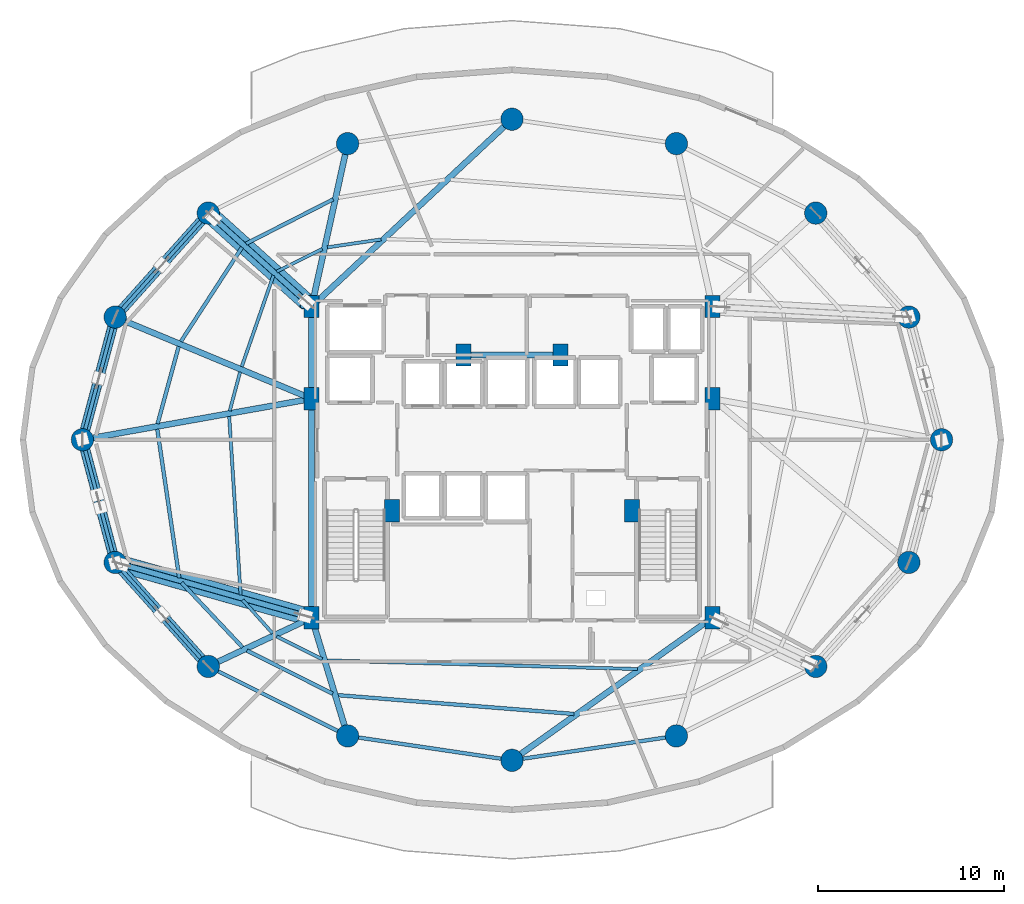
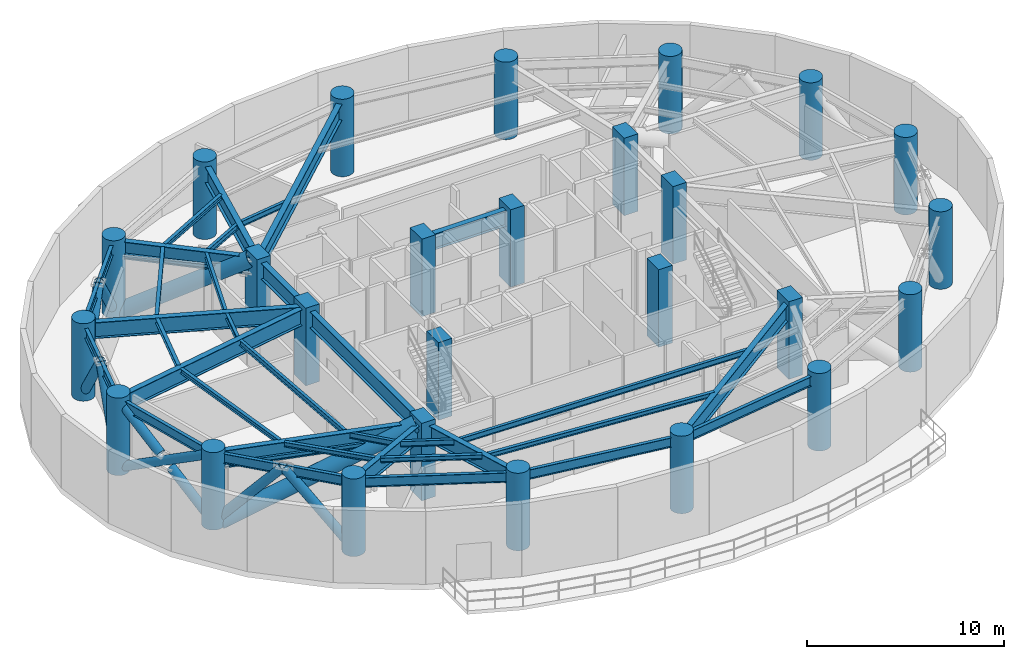
# One storey, part 1 of 10: 34 beams, 26 columns, 13 members.
"""IFC4 building model written with IfcOpenShell, lengths in metres."""

from ifc_helpers import new_model, si_unit, direction, frame, origin, origin_2d, place, context, subcontext, project, spatial, rectangle, hollow_rectangle, circle, hollow_circle, i_section, extrude, material, material_profile, profile_set, type_object, element, save


model = new_model("IFC4")

# Units and contexts
model_context = context("Model", 3, precision=1e-05, world=origin(), true_north=direction((0.0, 1.0)))
body_context = subcontext(model_context, "Body", "Model", "MODEL_VIEW")
ifc_project = project(units=[si_unit("LENGTHUNIT", "METRE"), si_unit("AREAUNIT", "SQUARE_METRE"), si_unit("VOLUMEUNIT", "CUBIC_METRE"), si_unit("PLANEANGLEUNIT", "RADIAN"), si_unit("MASSUNIT", "GRAM", prefix="KILO")], contexts=[model_context])

# Site, building, storey
site_placement = place(None, origin())
site = spatial("IfcSite", under=ifc_project, at=site_placement, CompositionType="ELEMENT")
building_placement = place(site_placement, origin())
building = spatial("IfcBuilding", under=site, at=building_placement, Name="Vorneva Point Tower", CompositionType="ELEMENT")
storey_placement = place(building_placement, frame((0.0, 0.0, 69.5)))
storey = spatial("IfcBuildingStorey", under=building, at=storey_placement, Name="L18", CompositionType="ELEMENT", Elevation=69.5)

# Columns
ifc_material_1 = material(Name="Concrete B60 (C50/60)", Category="concrete")
ifc_material_profile_1 = material_profile(ifc_material_1, circle(Radius=0.60009765625, at=origin_2d()), Name="RC-CIRC 1200")
ifc_profile_set_1 = profile_set([ifc_material_profile_1], Name="Concrete B60 (C50/60)")
column_type_1 = type_object("IfcColumnType", Name="COL-RC1200C", PredefinedType="COLUMN", material=ifc_profile_set_1)
for number, where, z_axis, x_axis, name in (
    (1, (61.050048828125, 26.0, 0.0), (0.0, 0.0, 1.0), (1.0, 0.0, 0.0), "L18 Perimeter Column P01"),
    (2, (59.29541015625, 32.582275390625, 0.0), (0.0, 0.0, 1.0), (0.923879532511, 0.382683432365, 0.0), "L18 Perimeter Column P02"),
    (3, (54.298828125, 38.162109375, 0.0), (0.0, 0.0, 1.0), (0.707106781187, 0.707106781187, 0.0), "L18 Perimeter Column P03"),
    (4, (46.82080078125, 41.890625, 0.0), (0.0, 0.0, 1.0), (0.382683432365, 0.923879532511, 0.0), "L18 Perimeter Column P04"),
    (5, (38.0, 43.199951171875, 0.0), (0.0, 0.0, 1.0), (0.0, 1.0, 0.0), "L18 Perimeter Column P05"),
    (6, (29.17919921875, 41.890625, 0.0), (0.0, 0.0, 1.0), (-0.382683432365, 0.923879532511, 0.0), "L18 Perimeter Column P06"),
    (7, (21.701171875, 38.162109375, 0.0), (0.0, 0.0, 1.0), (-0.707106781187, 0.707106781187, 0.0), "L18 Perimeter Column P07"),
    (8, (16.70458984375, 32.582275390625, 0.0), (0.0, 0.0, 1.0), (-0.923879532511, 0.382683432365, 0.0), "L18 Perimeter Column P08"),
    (9, (14.949951171875, 26.0, 0.0), (0.0, 0.0, 1.0), (-1.0, 0.0, 0.0), "L18 Perimeter Column P09"),
    (10, (16.70458984375, 19.417724609375, 0.0), (0.0, 0.0, 1.0), (-0.923879532511, -0.382683432365, 0.0), "L18 Perimeter Column P10"),
    (11, (21.701171875, 13.837890625, 0.0), (0.0, 0.0, 1.0), (-0.707106781187, -0.707106781187, 0.0), "L18 Perimeter Column P11"),
    (12, (29.17919921875, 10.109375, 0.0), (0.0, 0.0, 1.0), (-0.382683432365, -0.923879532511, 0.0), "L18 Perimeter Column P12"),
    (13, (38.0, 8.800048828125, 0.0), (0.0, 0.0, 1.0), (0.0, -1.0, 0.0), "L18 Perimeter Column P13"),
    (14, (46.82080078125, 10.109375, 0.0), (0.0, 0.0, 1.0), (0.382683432365, -0.923879532511, 0.0), "L18 Perimeter Column P14"),
    (15, (54.298828125, 13.837890625, 0.0), (0.0, 0.0, 1.0), (0.707106781187, -0.707106781187, 0.0), "L18 Perimeter Column P15"),
    (16, (59.29541015625, 19.417724609375, 0.0), (0.0, 0.0, 1.0), (0.923879532511, -0.382683432365, 0.0), "L18 Perimeter Column P16"),
):
    element("IfcColumn", number, at=place(storey_placement, frame(where, z_axis=z_axis, x_axis=x_axis)), inside=storey, type_object=column_type_1, Name=name, PredefinedType="COLUMN", context=body_context, shape_type="SweptSolid", body=[
        extrude(circle(Radius=0.60009765625, at=origin_2d()), origin(), (0.0, 0.0, 1.0), 4.800048828125),
    ])
ifc_material_profile_2 = material_profile(ifc_material_1, rectangle(XDim=0.800048828125, YDim=1.199951171875, at=origin_2d()), Name="RC-PIL 1200x800")
ifc_profile_set_2 = profile_set([ifc_material_profile_2], Name="Concrete B60 (C50/60)")
column_type_2 = type_object("IfcColumnType", Name="PIL-RC1200x800", PredefinedType="PILASTER", material=ifc_profile_set_2)
for number, where, z_axis, x_axis, name in (
    (17, (27.25, 16.449951171875, 0.0), (0.0, 0.0, 1.0), (1.0, 0.0, 0.0), "L18 Core Pilaster CP1"),
    (18, (27.25, 28.199951171875, 0.0), (0.0, 0.0, 1.0), (1.0, 0.0, 0.0), "L18 Core Pilaster CP2"),
    (19, (27.25, 33.14990234375, 0.0), (0.0, 0.0, 1.0), (1.0, 0.0, 0.0), "L18 Core Pilaster CP3"),
    (20, (31.550048828125, 22.199951171875, 0.0), (0.0, 0.0, 1.0), (1.0, 0.0, 0.0), "L18 Core Pilaster CP4"),
    (21, (48.75, 33.14990234375, 0.0), (0.0, 0.0, 1.0), (1.0, 0.0, 0.0), "L18 Core Pilaster CP5"),
    (22, (48.75, 28.199951171875, 0.0), (0.0, 0.0, 1.0), (1.0, 0.0, 0.0), "L18 Core Pilaster CP6"),
    (23, (48.75, 16.449951171875, 0.0), (0.0, 0.0, 1.0), (1.0, 0.0, 0.0), "L18 Core Pilaster CP7"),
    (24, (44.449951171875, 22.199951171875, 0.0), (0.0, 0.0, 1.0), (1.0, 0.0, 0.0), "L18 Core Pilaster CP8"),
    (25, (35.39990234375, 30.550048828125, 0.0), (0.0, 0.0, 1.0), (1.0, 0.0, 0.0), "L18 Core Pilaster CP9"),
    (26, (40.60009765625, 30.550048828125, 0.0), (0.0, 0.0, 1.0), (1.0, 0.0, 0.0), "L18 Core Pilaster CP10"),
):
    element("IfcColumn", number, at=place(storey_placement, frame(where, z_axis=z_axis, x_axis=x_axis)), inside=storey, type_object=column_type_2, Name=name, PredefinedType="PILASTER", context=body_context, shape_type="SweptSolid", body=[
        extrude(rectangle(XDim=0.800048828125, YDim=1.199951171875, at=origin_2d()), origin(), (0.0, 0.0, 1.0), 4.800048828125),
    ])

# Beams
ifc_material_2 = material(Name="Steel S460", Category="steel")
ifc_material_profile_3 = material_profile(ifc_material_2, i_section(OverallWidth=0.320068359375, OverallDepth=0.998046875, WebThickness=0.01708984375, FlangeThickness=0.027099609375, at=origin_2d()), Name="100Sh2")
ifc_profile_set_3 = profile_set([ifc_material_profile_3], Name="Steel S460")
beam_type_1 = type_object("IfcBeamType", Name="BM-GRD-100Sh2", PredefinedType="USERDEFINED", material=ifc_profile_set_3)
beam_1_placement = place(storey_placement, frame((37.570556640625, 42.79833984375, 4.0009765625), z_axis=(-0.730495062551, -0.682917977204, 0.0), x_axis=(0.682917977204, -0.730495062551, 0.0)))
element("IfcBeam", 27, at=beam_1_placement, inside=storey, type_object=beam_type_1, Name="L18 Radial Primary Girder 05", ObjectType="GIRDER", PredefinedType="USERDEFINED", context=body_context, shape_type="SweptSolid", body=[
    extrude(i_section(OverallWidth=0.320068359375, OverallDepth=0.998046875, WebThickness=0.01708984375, FlangeThickness=0.027099609375, at=origin_2d()), origin(), (0.0, 0.0, 1.0), 13.788330078125),
])
beam_2_placement = place(storey_placement, frame((29.052490234375, 41.31640625, 4.0009765625), z_axis=(-0.215535114008, -0.976496090432, 0.0), x_axis=(0.976496090432, -0.215535114008, 0.0)))
element("IfcBeam", 28, at=beam_2_placement, inside=storey, type_object=beam_type_1, Name="L18 Radial Primary Girder 06", ObjectType="GIRDER", PredefinedType="USERDEFINED", context=body_context, shape_type="SweptSolid", body=[
    extrude(i_section(OverallWidth=0.320068359375, OverallDepth=0.998046875, WebThickness=0.01708984375, FlangeThickness=0.027099609375, at=origin_2d()), origin(), (0.0, 0.0, 1.0), 8.02294921875),
])
beam_3_placement = place(storey_placement, frame((22.137451171875, 37.76806640625, 4.0009765625), z_axis=(0.742091876388, -0.670298177678, 0.0), x_axis=(0.670298177678, 0.742091876388, 0.0)))
element("IfcBeam", 29, at=beam_3_placement, inside=storey, type_object=beam_type_1, Name="L18 Radial Primary Girder 07", ObjectType="GIRDER", PredefinedType="USERDEFINED", context=body_context, shape_type="SweptSolid", body=[
    extrude(i_section(OverallWidth=0.320068359375, OverallDepth=0.998046875, WebThickness=0.01708984375, FlangeThickness=0.027099609375, at=origin_2d()), origin(), (0.0, 0.0, 1.0), 6.549560546875),
])
beam_4_placement = place(storey_placement, frame((17.24755859375, 32.356689453125, 4.0009765625), z_axis=(0.923440015882, -0.383742800673, 0.0), x_axis=(0.383742800673, 0.923440015882, 0.0)))
element("IfcBeam", 30, at=beam_4_placement, inside=storey, type_object=beam_type_1, Name="L18 Radial Primary Girder 08", ObjectType="GIRDER", PredefinedType="USERDEFINED", context=body_context, shape_type="SweptSolid", body=[
    extrude(i_section(OverallWidth=0.320068359375, OverallDepth=0.998046875, WebThickness=0.01708984375, FlangeThickness=0.027099609375, at=origin_2d()), origin(), (0.0, 0.0, 1.0), 10.49169921875),
])
beam_5_placement = place(storey_placement, frame((15.52880859375, 26.103515625, 4.0009765625), z_axis=(0.984377835859, 0.176068953167, 0.0), x_axis=(-0.176068953167, 0.984377835859, 0.0)))
element("IfcBeam", 31, at=beam_5_placement, inside=storey, type_object=beam_type_1, Name="L18 Radial Primary Girder 09", ObjectType="GIRDER", PredefinedType="USERDEFINED", context=body_context, shape_type="SweptSolid", body=[
    extrude(i_section(OverallWidth=0.320068359375, OverallDepth=0.998046875, WebThickness=0.01708984375, FlangeThickness=0.027099609375, at=origin_2d()), origin(), (0.0, 0.0, 1.0), 11.567138671875),
])
beam_6_placement = place(storey_placement, frame((17.2705078125, 19.258544921875, 4.0009765625), z_axis=(0.962601544905, -0.270921143042, 0.0), x_axis=(0.270921143042, 0.962601544905, 0.0)))
element("IfcBeam", 32, at=beam_6_placement, inside=storey, type_object=beam_type_1, Name="L18 Radial Primary Girder 10", ObjectType="GIRDER", PredefinedType="USERDEFINED", context=body_context, shape_type="SweptSolid", body=[
    extrude(i_section(OverallWidth=0.320068359375, OverallDepth=0.998046875, WebThickness=0.01708984375, FlangeThickness=0.027099609375, at=origin_2d()), origin(), (0.0, 0.0, 1.0), 10.027099609375),
])
beam_7_placement = place(storey_placement, frame((22.233154296875, 14.088134765625, 4.0009765625), z_axis=(0.904749595176, 0.425943857836, 0.0), x_axis=(-0.425943857836, 0.904749595176, 0.0)))
element("IfcBeam", 33, at=beam_7_placement, inside=storey, type_object=beam_type_1, Name="L18 Radial Primary Girder 11", ObjectType="GIRDER", PredefinedType="USERDEFINED", context=body_context, shape_type="SweptSolid", body=[
    extrude(i_section(OverallWidth=0.320068359375, OverallDepth=0.998046875, WebThickness=0.01708984375, FlangeThickness=0.027099609375, at=origin_2d()), origin(), (0.0, 0.0, 1.0), 5.205078125),
])
beam_8_placement = place(storey_placement, frame((29.008056640625, 10.671875, 4.0009765625), z_axis=(-0.291059345278, 0.956705000262, 0.0), x_axis=(-0.956705000262, -0.291059345278, 0.0)))
element("IfcBeam", 34, at=beam_8_placement, inside=storey, type_object=beam_type_1, Name="L18 Radial Primary Girder 12", ObjectType="GIRDER", PredefinedType="USERDEFINED", context=body_context, shape_type="SweptSolid", body=[
    extrude(i_section(OverallWidth=0.320068359375, OverallDepth=0.998046875, WebThickness=0.01708984375, FlangeThickness=0.027099609375, at=origin_2d()), origin(), (0.0, 0.0, 1.0), 5.69970703125),
])
beam_9_placement = place(storey_placement, frame((38.47900390625, 9.140869140625, 4.0009765625), z_axis=(0.814751603989, 0.579810161861, 0.0), x_axis=(-0.579810161861, 0.814751603989, 0.0)))
element("IfcBeam", 35, at=beam_9_placement, inside=storey, type_object=beam_type_1, Name="L18 Radial Primary Girder 13", ObjectType="GIRDER", PredefinedType="USERDEFINED", context=body_context, shape_type="SweptSolid", body=[
    extrude(i_section(OverallWidth=0.320068359375, OverallDepth=0.998046875, WebThickness=0.01708984375, FlangeThickness=0.027099609375, at=origin_2d()), origin(), (0.0, 0.0, 1.0), 12.26611328125),
])
beam_10_placement = place(storey_placement, frame((27.25, 16.77001953125, 4.0009765625), z_axis=(0.0, 1.0, 0.0), x_axis=(-1.0, 0.0, 0.0)))
element("IfcBeam", 36, at=beam_10_placement, inside=storey, type_object=beam_type_1, Name="L18 Core Tie Girder CT1", ObjectType="GIRDER", PredefinedType="USERDEFINED", context=body_context, shape_type="SweptSolid", body=[
    extrude(i_section(OverallWidth=0.320068359375, OverallDepth=0.998046875, WebThickness=0.01708984375, FlangeThickness=0.027099609375, at=origin_2d()), origin(), (0.0, 0.0, 1.0), 11.10986328125),
])
beam_11_placement = place(storey_placement, frame((27.25, 28.52001953125, 4.0009765625), z_axis=(0.0, 1.0, 0.0), x_axis=(-1.0, 0.0, 0.0)))
element("IfcBeam", 37, at=beam_11_placement, inside=storey, type_object=beam_type_1, Name="L18 Core Tie Girder CT2", ObjectType="GIRDER", PredefinedType="USERDEFINED", context=body_context, shape_type="SweptSolid", body=[
    extrude(i_section(OverallWidth=0.320068359375, OverallDepth=0.998046875, WebThickness=0.01708984375, FlangeThickness=0.027099609375, at=origin_2d()), origin(), (0.0, 0.0, 1.0), 4.31005859375),
])
beam_12_placement = place(storey_placement, frame((35.719970703125, 30.550048828125, 4.0009765625), z_axis=(1.0, 0.0, 0.0), x_axis=(0.0, 1.0, 0.0)))
element("IfcBeam", 38, at=beam_12_placement, inside=storey, type_object=beam_type_1, Name="L18 Core Tie Girder CT8", ObjectType="GIRDER", PredefinedType="USERDEFINED", context=body_context, shape_type="SweptSolid", body=[
    extrude(i_section(OverallWidth=0.320068359375, OverallDepth=0.998046875, WebThickness=0.01708984375, FlangeThickness=0.027099609375, at=origin_2d()), origin(), (0.0, 0.0, 1.0), 4.56005859375),
])
ifc_material_3 = material(Name="Steel S355", Category="steel")
ifc_material_profile_4 = material_profile(ifc_material_3, i_section(OverallWidth=0.199951171875, OverallDepth=0.291015625, WebThickness=0.008056640625, FlangeThickness=0.010986328125, at=origin_2d()), Name="30Sh1")
ifc_profile_set_4 = profile_set([ifc_material_profile_4], Name="Steel S355")
beam_type_2 = type_object("IfcBeamType", Name="BM-SEC-30Sh1", PredefinedType="BEAM", material=ifc_profile_set_4)
beam_13_placement = place(storey_placement, frame((28.40185546875, 38.89892578125, 4.3544921875), z_axis=(-0.891098446832, -0.453810046224, 0.0), x_axis=(0.453810046224, -0.891098446832, 0.0)))
element("IfcBeam", 39, at=beam_13_placement, inside=storey, type_object=beam_type_2, Name="L18 Secondary Floor Beam 1.06", PredefinedType="BEAM", context=body_context, shape_type="SweptSolid", body=[
    extrude(i_section(OverallWidth=0.199951171875, OverallDepth=0.291015625, WebThickness=0.008056640625, FlangeThickness=0.010986328125, at=origin_2d()), origin(), (0.0, 0.0, 1.0), 5.245849609375),
])
beam_14_placement = place(storey_placement, frame((23.514892578125, 36.326904296875, 4.3544921875), z_axis=(-0.544428495868, -0.8388072561, 0.0), x_axis=(0.8388072561, -0.544428495868, 0.0)))
element("IfcBeam", 40, at=beam_14_placement, inside=storey, type_object=beam_type_2, Name="L18 Secondary Floor Beam 1.07", PredefinedType="BEAM", context=body_context, shape_type="SweptSolid", body=[
    extrude(i_section(OverallWidth=0.199951171875, OverallDepth=0.291015625, WebThickness=0.008056640625, FlangeThickness=0.010986328125, at=origin_2d()), origin(), (0.0, 0.0, 1.0), 6.025146484375),
])
beam_15_placement = place(storey_placement, frame((20.115234375, 31.006103515625, 4.3544921875), z_axis=(-0.26314622926, -0.964755959829, 0.0), x_axis=(0.964755959829, -0.26314622926, 0.0)))
element("IfcBeam", 41, at=beam_15_placement, inside=storey, type_object=beam_type_2, Name="L18 Secondary Floor Beam 1.08", PredefinedType="BEAM", context=body_context, shape_type="SweptSolid", body=[
    extrude(i_section(OverallWidth=0.199951171875, OverallDepth=0.291015625, WebThickness=0.008056640625, FlangeThickness=0.010986328125, at=origin_2d()), origin(), (0.0, 0.0, 1.0), 4.30029296875),
])
beam_16_placement = place(storey_placement, frame((18.96630859375, 26.568115234375, 4.3544921875), z_axis=(0.146098813551, -0.98927000191, 0.0), x_axis=(0.98927000191, 0.146098813551, 0.0)))
element("IfcBeam", 42, at=beam_16_placement, inside=storey, type_object=beam_type_2, Name="L18 Secondary Floor Beam 1.09", PredefinedType="BEAM", context=body_context, shape_type="SweptSolid", body=[
    extrude(i_section(OverallWidth=0.199951171875, OverallDepth=0.291015625, WebThickness=0.008056640625, FlangeThickness=0.010986328125, at=origin_2d()), origin(), (0.0, 0.0, 1.0), 8.064453125),
])
beam_17_placement = place(storey_placement, frame((20.267822265625, 18.3359375, 4.3544921875), z_axis=(0.686048433656, -0.72755587186, 0.0), x_axis=(0.72755587186, 0.686048433656, 0.0)))
element("IfcBeam", 43, at=beam_17_placement, inside=storey, type_object=beam_type_2, Name="L18 Secondary Floor Beam 1.10", PredefinedType="BEAM", context=body_context, shape_type="SweptSolid", body=[
    extrude(i_section(OverallWidth=0.199951171875, OverallDepth=0.291015625, WebThickness=0.008056640625, FlangeThickness=0.010986328125, at=origin_2d()), origin(), (0.0, 0.0, 1.0), 4.776123046875),
])
beam_18_placement = place(storey_placement, frame((23.7783203125, 14.686767578125, 4.3544921875), z_axis=(0.893448196493, -0.449166250049, 0.0), x_axis=(0.449166250049, 0.893448196493, 0.0)))
element("IfcBeam", 44, at=beam_18_placement, inside=storey, type_object=beam_type_2, Name="L18 Secondary Floor Beam 1.11", PredefinedType="BEAM", context=body_context, shape_type="SweptSolid", body=[
    extrude(i_section(OverallWidth=0.199951171875, OverallDepth=0.291015625, WebThickness=0.008056640625, FlangeThickness=0.010986328125, at=origin_2d()), origin(), (0.0, 0.0, 1.0), 5.1484375),
])
beam_19_placement = place(storey_placement, frame((28.65771484375, 12.2958984375, 4.3544921875), z_axis=(0.996841665635, -0.079414694193, 0.0), x_axis=(0.079414694193, 0.996841665635, 0.0)))
element("IfcBeam", 45, at=beam_19_placement, inside=storey, type_object=beam_type_2, Name="L18 Secondary Floor Beam 1.12", PredefinedType="BEAM", context=body_context, shape_type="SweptSolid", body=[
    extrude(i_section(OverallWidth=0.199951171875, OverallDepth=0.291015625, WebThickness=0.008056640625, FlangeThickness=0.010986328125, at=origin_2d()), origin(), (0.0, 0.0, 1.0), 12.7119140625),
])
ifc_material_profile_5 = material_profile(ifc_material_3, i_section(OverallWidth=0.174072265625, OverallDepth=0.345947265625, WebThickness=0.006103515625, FlangeThickness=0.009033203125, at=origin_2d()), Name="35B1")
ifc_profile_set_5 = profile_set([ifc_material_profile_5], Name="Steel S355")
beam_type_3 = type_object("IfcBeamType", Name="BM-SEC-35B1", PredefinedType="BEAM", material=ifc_profile_set_5)
beam_20_placement = place(storey_placement, frame((30.977783203125, 36.75048828125, 4.326904296875), z_axis=(-0.989263598707, -0.146142164595, 0.0), x_axis=(0.146142164595, -0.989263598707, 0.0)))
element("IfcBeam", 46, at=beam_20_placement, inside=storey, type_object=beam_type_3, Name="L18 Secondary Floor Beam 2.05", PredefinedType="BEAM", context=body_context, shape_type="SweptSolid", body=[
    extrude(i_section(OverallWidth=0.174072265625, OverallDepth=0.345947265625, WebThickness=0.006103515625, FlangeThickness=0.009033203125, at=origin_2d()), origin(), (0.0, 0.0, 1.0), 2.916748046875),
])
beam_21_placement = place(storey_placement, frame((27.813232421875, 36.236328125, 4.326904296875), z_axis=(-0.895073036593, -0.445919565802, 0.0), x_axis=(0.445919565802, -0.895073036593, 0.0)))
element("IfcBeam", 47, at=beam_21_placement, inside=storey, type_object=beam_type_3, Name="L18 Secondary Floor Beam 2.06", PredefinedType="BEAM", context=body_context, shape_type="SweptSolid", body=[
    extrude(i_section(OverallWidth=0.174072265625, OverallDepth=0.345947265625, WebThickness=0.006103515625, FlangeThickness=0.009033203125, at=origin_2d()), origin(), (0.0, 0.0, 1.0), 2.7177734375),
])
beam_22_placement = place(storey_placement, frame((25.199462890625, 34.818603515625, 4.326904296875), z_axis=(-0.328290566303, -0.944576785696, 0.0), x_axis=(0.944576785696, -0.328290566303, 0.0)))
element("IfcBeam", 48, at=beam_22_placement, inside=storey, type_object=beam_type_3, Name="L18 Secondary Floor Beam 2.07", PredefinedType="BEAM", context=body_context, shape_type="SweptSolid", body=[
    extrude(i_section(OverallWidth=0.174072265625, OverallDepth=0.345947265625, WebThickness=0.006103515625, FlangeThickness=0.009033203125, at=origin_2d()), origin(), (0.0, 0.0, 1.0), 5.186279296875),
])
beam_23_placement = place(storey_placement, frame((23.41015625, 29.636962890625, 4.326904296875), z_axis=(-0.257374196052, -0.966311814689, 0.0), x_axis=(0.966311814689, -0.257374196052, 0.0)))
element("IfcBeam", 49, at=beam_23_placement, inside=storey, type_object=beam_type_3, Name="L18 Secondary Floor Beam 2.08", PredefinedType="BEAM", context=body_context, shape_type="SweptSolid", body=[
    extrude(i_section(OverallWidth=0.174072265625, OverallDepth=0.345947265625, WebThickness=0.006103515625, FlangeThickness=0.009033203125, at=origin_2d()), origin(), (0.0, 0.0, 1.0), 2.159912109375),
])
beam_24_placement = place(storey_placement, frame((22.82568359375, 27.25927734375, 4.326904296875), z_axis=(0.063758825914, -0.99796533613, 0.0), x_axis=(0.99796533613, 0.063758825914, 0.0)))
element("IfcBeam", 50, at=beam_24_placement, inside=storey, type_object=beam_type_3, Name="L18 Secondary Floor Beam 2.09", PredefinedType="BEAM", context=body_context, shape_type="SweptSolid", body=[
    extrude(i_section(OverallWidth=0.174072265625, OverallDepth=0.345947265625, WebThickness=0.006103515625, FlangeThickness=0.009033203125, at=origin_2d()), origin(), (0.0, 0.0, 1.0), 9.611083984375),
])
beam_25_placement = place(storey_placement, frame((23.546630859375, 17.40966796875, 4.326904296875), z_axis=(0.666385050614, -0.745607781825, 0.0), x_axis=(0.745607781825, 0.666385050614, 0.0)))
element("IfcBeam", 51, at=beam_25_placement, inside=storey, type_object=beam_type_3, Name="L18 Secondary Floor Beam 2.10", PredefinedType="BEAM", context=body_context, shape_type="SweptSolid", body=[
    extrude(i_section(OverallWidth=0.174072265625, OverallDepth=0.345947265625, WebThickness=0.006103515625, FlangeThickness=0.009033203125, at=origin_2d()), origin(), (0.0, 0.0, 1.0), 2.40380859375),
])
beam_26_placement = place(storey_placement, frame((25.37939453125, 15.441162109375, 4.326904296875), z_axis=(0.894983001819, -0.446100242608, 0.0), x_axis=(0.446100242608, 0.894983001819, 0.0)))
element("IfcBeam", 52, at=beam_26_placement, inside=storey, type_object=beam_type_3, Name="L18 Secondary Floor Beam 2.11", PredefinedType="BEAM", context=body_context, shape_type="SweptSolid", body=[
    extrude(i_section(OverallWidth=0.174072265625, OverallDepth=0.345947265625, WebThickness=0.006103515625, FlangeThickness=0.009033203125, at=origin_2d()), origin(), (0.0, 0.0, 1.0), 2.719970703125),
])
beam_27_placement = place(storey_placement, frame((28.09423828125, 14.15771484375, 4.326904296875), z_axis=(0.999616239826, -0.02770149952, 0.0), x_axis=(0.02770149952, 0.999616239826, 0.0)))
element("IfcBeam", 53, at=beam_27_placement, inside=storey, type_object=beam_type_3, Name="L18 Secondary Floor Beam 2.12", PredefinedType="BEAM", context=body_context, shape_type="SweptSolid", body=[
    extrude(i_section(OverallWidth=0.174072265625, OverallDepth=0.345947265625, WebThickness=0.006103515625, FlangeThickness=0.009033203125, at=origin_2d()), origin(), (0.0, 0.0, 1.0), 16.639404296875),
])
ifc_material_profile_6 = material_profile(ifc_material_3, i_section(OverallWidth=0.198974609375, OverallDepth=0.595947265625, WebThickness=0.010009765625, FlangeThickness=0.014892578125, at=origin_2d()), Name="60B1")
ifc_profile_set_6 = profile_set([ifc_material_profile_6], Name="Steel S355")
beam_type_4 = type_object("IfcBeamType", Name="BM-SPN-60B1", PredefinedType="SPANDREL", material=ifc_profile_set_6)
beam_28_placement = place(storey_placement, frame((21.31103515625, 37.726318359375, 4.201904296875), z_axis=(-0.667116603584, -0.744953312109, 0.0), x_axis=(0.744953312109, -0.667116603584, 0.0)))
element("IfcBeam", 54, at=beam_28_placement, inside=storey, type_object=beam_type_4, Name="L18 Perimeter Spandrel Ring Beam 07", PredefinedType="SPANDREL", context=body_context, shape_type="SweptSolid", body=[
    extrude(i_section(OverallWidth=0.198974609375, OverallDepth=0.595947265625, WebThickness=0.010009765625, FlangeThickness=0.014892578125, at=origin_2d()), origin(), (0.0, 0.0, 1.0), 6.3203125),
])
for number, where, z_axis, x_axis, name in (
    (55, (16.553955078125, 32.016845703125, 4.201904296875), (-0.257595318742, -0.96625289224, 0.0), (0.96625289224, -0.257595318742, 0.0), "L18 Perimeter Spandrel Ring Beam 08"),
    (56, (15.1005859375, 25.434814453125, 4.201904296875), (0.257595318742, -0.96625289224, 0.0), (0.96625289224, 0.257595318742, 0.0), "L18 Perimeter Spandrel Ring Beam 09"),
):
    element("IfcBeam", number, at=place(storey_placement, frame(where, z_axis=z_axis, x_axis=x_axis)), inside=storey, type_object=beam_type_4, Name=name, PredefinedType="SPANDREL", context=body_context, shape_type="SweptSolid", body=[
        extrude(i_section(OverallWidth=0.198974609375, OverallDepth=0.595947265625, WebThickness=0.010009765625, FlangeThickness=0.014892578125, at=origin_2d()), origin(), (0.0, 0.0, 1.0), 5.64208984375),
    ])
beam_29_placement = place(storey_placement, frame((17.0947265625, 18.98193359375, 4.201904296875), z_axis=(0.667116603584, -0.744953312109, 0.0), x_axis=(0.744953312109, 0.667116603584, 0.0)))
element("IfcBeam", 57, at=beam_29_placement, inside=storey, type_object=beam_type_4, Name="L18 Perimeter Spandrel Ring Beam 10", PredefinedType="SPANDREL", context=body_context, shape_type="SweptSolid", body=[
    extrude(i_section(OverallWidth=0.198974609375, OverallDepth=0.595947265625, WebThickness=0.010009765625, FlangeThickness=0.014892578125, at=origin_2d()), origin(), (0.0, 0.0, 1.0), 6.3203125),
])
beam_30_placement = place(storey_placement, frame((22.224609375, 13.576904296875, 4.201904296875), z_axis=(0.894922668731, -0.446221264611, 0.0), x_axis=(0.446221264611, 0.894922668731, 0.0)))
element("IfcBeam", 58, at=beam_30_placement, inside=storey, type_object=beam_type_4, Name="L18 Perimeter Spandrel Ring Beam 11", PredefinedType="SPANDREL", context=body_context, shape_type="SweptSolid", body=[
    extrude(i_section(OverallWidth=0.198974609375, OverallDepth=0.595947265625, WebThickness=0.010009765625, FlangeThickness=0.014892578125, at=origin_2d()), origin(), (0.0, 0.0, 1.0), 7.18603515625),
])
for number, where, z_axis, x_axis, name in (
    (59, (29.7578125, 10.0234375, 4.201904296875), (0.989164004747, -0.146814753046, 0.0), (0.146814753046, 0.989164004747, 0.0), "L18 Perimeter Spandrel Ring Beam 12"),
    (60, (38.57861328125, 8.885986328125, 4.201904296875), (0.989164004747, 0.146814753046, 0.0), (-0.146814753046, 0.989164004747, 0.0), "L18 Perimeter Spandrel Ring Beam 13"),
):
    element("IfcBeam", number, at=place(storey_placement, frame(where, z_axis=z_axis, x_axis=x_axis)), inside=storey, type_object=beam_type_4, Name=name, PredefinedType="SPANDREL", context=body_context, shape_type="SweptSolid", body=[
        extrude(i_section(OverallWidth=0.198974609375, OverallDepth=0.595947265625, WebThickness=0.010009765625, FlangeThickness=0.014892578125, at=origin_2d()), origin(), (0.0, 0.0, 1.0), 7.74755859375),
    ])

# Members
ifc_material_profile_7 = material_profile(ifc_material_2, hollow_circle(Radius=0.264892578125, WallThickness=0.02001953125, at=origin_2d()), Name="CHS 530x20")
ifc_profile_set_7 = profile_set([ifc_material_profile_7], Name="Steel S460")
member_type_1 = type_object("IfcMemberType", Name="MBR-BLT-CHS530", PredefinedType="BRACE", material=ifc_profile_set_7)
member_1_placement = place(storey_placement, frame((21.701171875, 38.162109375, 0.1201171875), z_axis=(-0.442212469084, -0.493810405963, 0.748731871333), x_axis=(0.744954798906, -0.66711494331, 0.0)))
element("IfcMember", 61, at=member_1_placement, inside=storey, type_object=member_type_1, Name="L18 Perimeter Belt-Truss Diagonal 07A", PredefinedType="BRACE", context=body_context, shape_type="SweptSolid", body=[
    extrude(hollow_circle(Radius=0.264892578125, WallThickness=0.02001953125, at=origin_2d()), origin(), (0.0, 0.0, 1.0), 5.6494140625),
])
member_2_placement = place(storey_placement, frame((16.70458984375, 32.582275390625, 0.1201171875), z_axis=(0.442203032293, 0.493843081505, 0.748715893434), x_axis=(-0.744983810219, 0.6670825455, 0.0)))
element("IfcMember", 62, at=member_2_placement, inside=storey, type_object=member_type_1, Name="L18 Perimeter Belt-Truss Diagonal 07B", PredefinedType="BRACE", context=body_context, shape_type="SweptSolid", body=[
    extrude(hollow_circle(Radius=0.264892578125, WallThickness=0.02001953125, at=origin_2d()), origin(), (0.0, 0.0, 1.0), 5.649658203125),
])
member_3_placement = place(storey_placement, frame((16.70458984375, 32.582275390625, 0.1201171875), z_axis=(-0.161519889588, -0.606025502794, 0.778873812136), x_axis=(0.96626943078, -0.257533273851, 0.0)))
element("IfcMember", 63, at=member_3_placement, inside=storey, type_object=member_type_1, Name="L18 Perimeter Belt-Truss Diagonal 08A", PredefinedType="BRACE", context=body_context, shape_type="SweptSolid", body=[
    extrude(hollow_circle(Radius=0.264892578125, WallThickness=0.02001953125, at=origin_2d()), origin(), (0.0, 0.0, 1.0), 5.430908203125),
])
member_4_placement = place(storey_placement, frame((14.949951171875, 26.0, 0.1201171875), z_axis=(0.161568071846, 0.605992656786, 0.778889374739), x_axis=(-0.966246835672, 0.257618036158, 0.0)))
element("IfcMember", 64, at=member_4_placement, inside=storey, type_object=member_type_1, Name="L18 Perimeter Belt-Truss Diagonal 08B", PredefinedType="BRACE", context=body_context, shape_type="SweptSolid", body=[
    extrude(hollow_circle(Radius=0.264892578125, WallThickness=0.02001953125, at=origin_2d()), origin(), (0.0, 0.0, 1.0), 5.4306640625),
])
member_5_placement = place(storey_placement, frame((14.949951171875, 26.0, 0.1201171875), z_axis=(0.218821253667, -0.820876557691, 0.527521502858), x_axis=(0.966258134442, 0.257575654176, 0.0)))
element("IfcMember", 65, at=member_5_placement, inside=storey, type_object=member_type_1, Name="L18 Perimeter Belt-Truss Continuous X-Brace 09A", PredefinedType="BRACE", context=body_context, shape_type="SweptSolid", body=[
    extrude(hollow_circle(Radius=0.264892578125, WallThickness=0.02001953125, at=origin_2d()), origin(), (0.0, 0.0, 1.0), 8.0185546875),
])
for number, where, z_axis, x_axis, name in (
    (66, (16.70458984375, 19.417724609375, 0.1201171875), (-0.218815917235, 0.820884596043, 0.52751120779), (-0.966260325527, -0.257567434494, 0.0), "L18 Perimeter Belt-Truss Split X-Brace 09B1"),
    (67, (15.73095703125, 23.070068359375, 2.467041015625), (-0.21880802173, 0.820854976175, 0.527560572556), (-0.966260325527, -0.257567434494, 0.0), "L18 Perimeter Belt-Truss Split X-Brace 09B2"),
):
    element("IfcMember", number, at=place(storey_placement, frame(where, z_axis=z_axis, x_axis=x_axis)), inside=storey, type_object=member_type_1, Name=name, PredefinedType="BRACE", context=body_context, shape_type="SweptSolid", body=[
        extrude(hollow_circle(Radius=0.264892578125, WallThickness=0.02001953125, at=origin_2d()), origin(), (0.0, 0.0, 1.0), 3.5693359375),
    ])
member_6_placement = place(storey_placement, frame((16.70458984375, 19.417724609375, 0.1201171875), z_axis=(0.442203032293, -0.493843081505, 0.748715893434), x_axis=(0.744983810219, 0.6670825455, 0.0)))
element("IfcMember", 68, at=member_6_placement, inside=storey, type_object=member_type_1, Name="L18 Perimeter Belt-Truss Diagonal 10A", PredefinedType="BRACE", context=body_context, shape_type="SweptSolid", body=[
    extrude(hollow_circle(Radius=0.264892578125, WallThickness=0.02001953125, at=origin_2d()), origin(), (0.0, 0.0, 1.0), 5.649658203125),
])
member_7_placement = place(storey_placement, frame((21.701171875, 13.837890625, 0.1201171875), z_axis=(-0.442212469084, 0.493810405963, 0.748731871333), x_axis=(-0.744954798906, -0.66711494331, 0.0)))
element("IfcMember", 69, at=member_7_placement, inside=storey, type_object=member_type_1, Name="L18 Perimeter Belt-Truss Diagonal 10B", PredefinedType="BRACE", context=body_context, shape_type="SweptSolid", body=[
    extrude(hollow_circle(Radius=0.264892578125, WallThickness=0.02001953125, at=origin_2d()), origin(), (0.0, 0.0, 1.0), 5.6494140625),
])
ifc_material_profile_8 = material_profile(ifc_material_2, hollow_circle(Radius=0.4599609375, WallThickness=0.031982421875, at=origin_2d()), Name="CHS 920x32")
ifc_profile_set_8 = profile_set([ifc_material_profile_8], Name="Steel S460")
member_type_2 = type_object("IfcMemberType", Name="MBR-OUT-CHS920", PredefinedType="BRACE", material=ifc_profile_set_8)
member_8_placement = place(storey_placement, frame((26.990234375, 33.384521484375, 4.35009765625), z_axis=(-0.629522749267, 0.5686485106, -0.529471415233), x_axis=(-0.670316975047, -0.742074897139, 0.0)))
element("IfcMember", 70, at=member_8_placement, inside=storey, type_object=member_type_2, Name="L18 Core Outrigger Diagonal 07A", PredefinedType="BRACE", context=body_context, shape_type="SweptSolid", body=[
    extrude(hollow_circle(Radius=0.4599609375, WallThickness=0.031982421875, at=origin_2d()), origin(), (0.0, 0.0, 1.0), 7.989013671875),
])
member_9_placement = place(storey_placement, frame((26.9130859375, 16.544921875, 4.35009765625), z_axis=(-0.88987871719, 0.250431070953, -0.38131371257), x_axis=(-0.270898627037, -0.962607881678, 0.0)))
element("IfcMember", 71, at=member_9_placement, inside=storey, type_object=member_type_2, Name="L18 Core Outrigger Diagonal 10A", PredefinedType="BRACE", context=body_context, shape_type="SweptSolid", body=[
    extrude(hollow_circle(Radius=0.4599609375, WallThickness=0.031982421875, at=origin_2d()), origin(), (0.0, 0.0, 1.0), 11.09326171875),
])
ifc_material_profile_9 = material_profile(ifc_material_3, hollow_rectangle(XDim=0.300048828125, YDim=0.300048828125, WallThickness=0.013916015625, at=origin_2d()), Name="PK 300x300x14")
ifc_profile_set_9 = profile_set([ifc_material_profile_9], Name="Steel S355")
member_type_3 = type_object("IfcMemberType", Name="MBR-STR-PK300", PredefinedType="STRUT", material=ifc_profile_set_9)
member_10_placement = place(storey_placement, frame((26.916015625, 33.45166015625, 3.570068359375), z_axis=(-0.742071075334, 0.670321205955, 0.0), x_axis=(-0.670321205955, -0.742071075334, 0.0)))
element("IfcMember", 72, at=member_10_placement, inside=storey, type_object=member_type_3, Name="L18 Core Outrigger Collector Strut 07B", PredefinedType="STRUT", context=body_context, shape_type="SweptSolid", body=[
    extrude(hollow_rectangle(XDim=0.300048828125, YDim=0.300048828125, WallThickness=0.013916015625, at=origin_2d()), origin(), (0.0, 0.0, 1.0), 6.577392578125),
])
member_11_placement = place(storey_placement, frame((26.81689453125, 16.572021484375, 3.570068359375), z_axis=(-0.962609399947, 0.270893231983, 0.0), x_axis=(-0.270893231983, -0.962609399947, 0.0)))
element("IfcMember", 73, at=member_11_placement, inside=storey, type_object=member_type_3, Name="L18 Core Outrigger Collector Strut 10B", PredefinedType="STRUT", context=body_context, shape_type="SweptSolid", body=[
    extrude(hollow_rectangle(XDim=0.300048828125, YDim=0.300048828125, WallThickness=0.013916015625, at=origin_2d()), origin(), (0.0, 0.0, 1.0), 10.05517578125),
])

save(model, "model.ifc")
